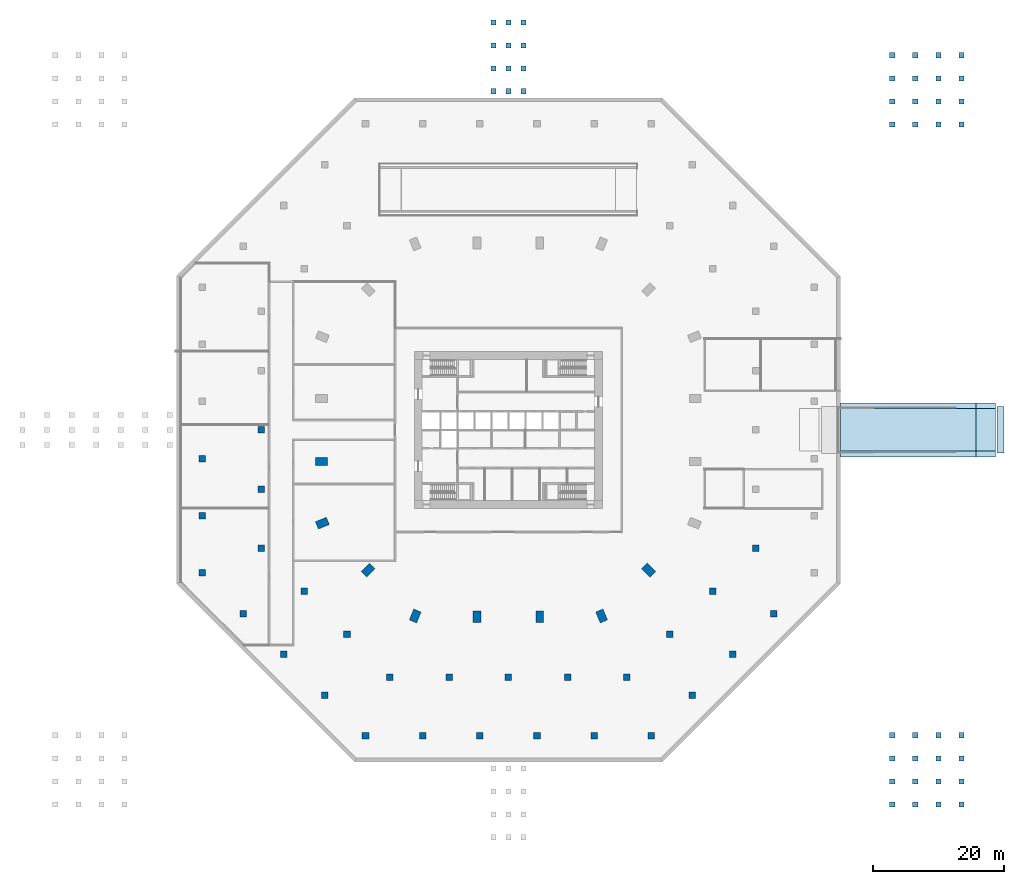
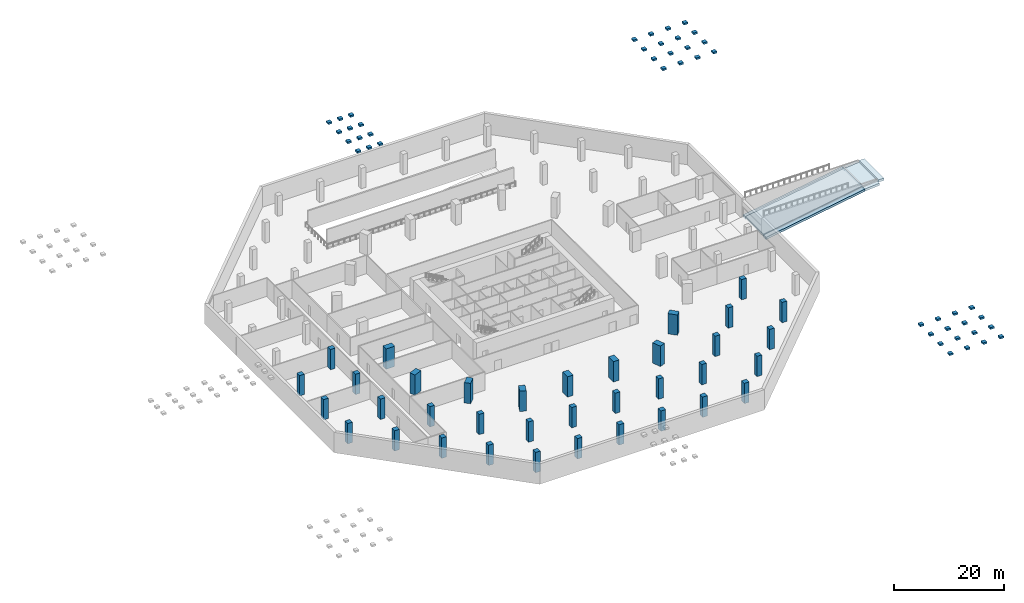
# One storey, part 2 of 11: 51 footings, 36 columns.
"""IFC4 building model written with IfcOpenShell, lengths in metres."""

from ifc_helpers import new_model, si_unit, direction, frame, origin, origin_2d, place, context, subcontext, project, spatial, polyline, rectangle, outline, extrude, material, layer, layer_set, material_profile, profile_set, type_object, element, save


model = new_model("IFC4")

# Units and contexts
model_context = context("Model", 3, precision=1e-05, world=origin(), true_north=direction((0.0, 1.0)))
body_context = subcontext(model_context, "Body", "Model", "MODEL_VIEW")
ifc_project = project(units=[si_unit("LENGTHUNIT", "METRE"), si_unit("AREAUNIT", "SQUARE_METRE"), si_unit("VOLUMEUNIT", "CUBIC_METRE"), si_unit("PLANEANGLEUNIT", "RADIAN"), si_unit("MASSUNIT", "GRAM", prefix="KILO")], contexts=[model_context])

# Site, building, storey
site_placement = place(None, origin())
site = spatial("IfcSite", under=ifc_project, at=site_placement, CompositionType="ELEMENT")
building_placement = place(site_placement, origin())
building = spatial("IfcBuilding", under=site, at=building_placement, Name="Msitu Wima Residences", CompositionType="ELEMENT")
storey_placement = place(building_placement, frame((0.0, 0.0, -4.5)))
storey = spatial("IfcBuildingStorey", under=building, at=storey_placement, Name="B1", CompositionType="ELEMENT", Elevation=-4.5)

# Footings
ifc_material_1 = material(Name="Concrete C40/50", Category="concrete")
ifc_layer_1 = layer(ifc_material_1, 0.5)
ifc_layer_set_1 = layer_set([ifc_layer_1], Name="Concrete C40/50")
footing_type_1 = type_object("IfcFootingType", Name="Driveway sill footing SF2", PredefinedType="STRIP_FOOTING", material=ifc_layer_set_1)
footing_1_placement = place(storey_placement, frame((0.0, 0.0, 3.85009765625)))
element("IfcFooting", 1, at=footing_1_placement, inside=storey, type_object=footing_type_1, Name="Driveway apron sill footing", PredefinedType="STRIP_FOOTING", context=body_context, shape_type="SweptSolid", body=[
    extrude(outline(polyline([(74.699951171875, -3.550048828125), (75.800048828125, -3.550048828125), (75.800048828125, 3.550048828125), (74.699951171875, 3.550048828125), (74.699951171875, -3.550048828125)])), origin(), (0.0, 0.0, 1.0), 0.5),
])
ifc_layer_2 = layer(ifc_material_1, 0.39990234375)
ifc_layer_set_2 = layer_set([ifc_layer_2], Name="Concrete C40/50")
footing_type_2 = type_object("IfcFootingType", Name="Paving pad footing PP1", PredefinedType="PAD_FOOTING", material=ifc_layer_set_2)
footing_2_placement = place(storey_placement, frame((0.0, 0.0, 3.949951171875)))
element("IfcFooting", 2, at=footing_2_placement, inside=storey, type_object=footing_type_2, Name="Paving pad footing N", PredefinedType="PAD_FOOTING", context=body_context, shape_type="SweptSolid", body=[
    extrude(outline(polyline([(-1.89990234375, 51.39990234375), (-1.89990234375, 52.199951171875), (-2.699951171875, 52.199951171875), (-2.699951171875, 51.39990234375), (-1.89990234375, 51.39990234375)])), origin(), (0.0, 0.0, 1.0), 0.400146484375),
])
footing_3_placement = place(storey_placement, frame((0.0, 0.0, 3.949951171875)))
element("IfcFooting", 3, at=footing_3_placement, inside=storey, type_object=footing_type_2, Name="Paving pad footing N", PredefinedType="PAD_FOOTING", context=body_context, shape_type="SweptSolid", body=[
    extrude(outline(polyline([(0.39990234375, 51.39990234375), (0.39990234375, 52.199951171875), (-0.39990234375, 52.199951171875), (-0.39990234375, 51.39990234375), (0.39990234375, 51.39990234375)])), origin(), (0.0, 0.0, 1.0), 0.400146484375),
])
footing_4_placement = place(storey_placement, frame((0.0, 0.0, 3.949951171875)))
element("IfcFooting", 4, at=footing_4_placement, inside=storey, type_object=footing_type_2, Name="Paving pad footing N", PredefinedType="PAD_FOOTING", context=body_context, shape_type="SweptSolid", body=[
    extrude(outline(polyline([(2.699951171875, 51.39990234375), (2.699951171875, 52.199951171875), (1.89990234375, 52.199951171875), (1.89990234375, 51.39990234375), (2.699951171875, 51.39990234375)])), origin(), (0.0, 0.0, 1.0), 0.400146484375),
])
footing_5_placement = place(storey_placement, frame((0.0, 0.0, 3.949951171875)))
element("IfcFooting", 5, at=footing_5_placement, inside=storey, type_object=footing_type_2, Name="Paving pad footing N", PredefinedType="PAD_FOOTING", context=body_context, shape_type="SweptSolid", body=[
    extrude(outline(polyline([(-1.89990234375, 54.89990234375), (-1.89990234375, 55.699951171875), (-2.699951171875, 55.699951171875), (-2.699951171875, 54.89990234375), (-1.89990234375, 54.89990234375)])), origin(), (0.0, 0.0, 1.0), 0.400146484375),
])
footing_6_placement = place(storey_placement, frame((0.0, 0.0, 3.949951171875)))
element("IfcFooting", 6, at=footing_6_placement, inside=storey, type_object=footing_type_2, Name="Paving pad footing N", PredefinedType="PAD_FOOTING", context=body_context, shape_type="SweptSolid", body=[
    extrude(outline(polyline([(0.39990234375, 54.89990234375), (0.39990234375, 55.699951171875), (-0.39990234375, 55.699951171875), (-0.39990234375, 54.89990234375), (0.39990234375, 54.89990234375)])), origin(), (0.0, 0.0, 1.0), 0.400146484375),
])
footing_7_placement = place(storey_placement, frame((0.0, 0.0, 3.949951171875)))
element("IfcFooting", 7, at=footing_7_placement, inside=storey, type_object=footing_type_2, Name="Paving pad footing N", PredefinedType="PAD_FOOTING", context=body_context, shape_type="SweptSolid", body=[
    extrude(outline(polyline([(2.699951171875, 54.89990234375), (2.699951171875, 55.699951171875), (1.89990234375, 55.699951171875), (1.89990234375, 54.89990234375), (2.699951171875, 54.89990234375)])), origin(), (0.0, 0.0, 1.0), 0.400146484375),
])
footing_8_placement = place(storey_placement, frame((0.0, 0.0, 3.949951171875)))
element("IfcFooting", 8, at=footing_8_placement, inside=storey, type_object=footing_type_2, Name="Paving pad footing N", PredefinedType="PAD_FOOTING", context=body_context, shape_type="SweptSolid", body=[
    extrude(outline(polyline([(-1.89990234375, 58.39990234375), (-1.89990234375, 59.199951171875), (-2.699951171875, 59.199951171875), (-2.699951171875, 58.39990234375), (-1.89990234375, 58.39990234375)])), origin(), (0.0, 0.0, 1.0), 0.400146484375),
])
footing_9_placement = place(storey_placement, frame((0.0, 0.0, 3.949951171875)))
element("IfcFooting", 9, at=footing_9_placement, inside=storey, type_object=footing_type_2, Name="Paving pad footing N", PredefinedType="PAD_FOOTING", context=body_context, shape_type="SweptSolid", body=[
    extrude(outline(polyline([(0.39990234375, 58.39990234375), (0.39990234375, 59.199951171875), (-0.39990234375, 59.199951171875), (-0.39990234375, 58.39990234375), (0.39990234375, 58.39990234375)])), origin(), (0.0, 0.0, 1.0), 0.400146484375),
])
footing_10_placement = place(storey_placement, frame((0.0, 0.0, 3.949951171875)))
element("IfcFooting", 10, at=footing_10_placement, inside=storey, type_object=footing_type_2, Name="Paving pad footing N", PredefinedType="PAD_FOOTING", context=body_context, shape_type="SweptSolid", body=[
    extrude(outline(polyline([(2.699951171875, 58.39990234375), (2.699951171875, 59.199951171875), (1.89990234375, 59.199951171875), (1.89990234375, 58.39990234375), (2.699951171875, 58.39990234375)])), origin(), (0.0, 0.0, 1.0), 0.400146484375),
])
footing_11_placement = place(storey_placement, frame((0.0, 0.0, 3.949951171875)))
element("IfcFooting", 11, at=footing_11_placement, inside=storey, type_object=footing_type_2, Name="Paving pad footing N", PredefinedType="PAD_FOOTING", context=body_context, shape_type="SweptSolid", body=[
    extrude(outline(polyline([(-1.89990234375, 61.89990234375), (-1.89990234375, 62.699951171875), (-2.699951171875, 62.699951171875), (-2.699951171875, 61.89990234375), (-1.89990234375, 61.89990234375)])), origin(), (0.0, 0.0, 1.0), 0.400146484375),
])
footing_12_placement = place(storey_placement, frame((0.0, 0.0, 3.949951171875)))
element("IfcFooting", 12, at=footing_12_placement, inside=storey, type_object=footing_type_2, Name="Paving pad footing N", PredefinedType="PAD_FOOTING", context=body_context, shape_type="SweptSolid", body=[
    extrude(outline(polyline([(0.39990234375, 61.89990234375), (0.39990234375, 62.699951171875), (-0.39990234375, 62.699951171875), (-0.39990234375, 61.89990234375), (0.39990234375, 61.89990234375)])), origin(), (0.0, 0.0, 1.0), 0.400146484375),
])
footing_13_placement = place(storey_placement, frame((0.0, 0.0, 3.949951171875)))
element("IfcFooting", 13, at=footing_13_placement, inside=storey, type_object=footing_type_2, Name="Paving pad footing N", PredefinedType="PAD_FOOTING", context=body_context, shape_type="SweptSolid", body=[
    extrude(outline(polyline([(2.699951171875, 61.89990234375), (2.699951171875, 62.699951171875), (1.89990234375, 62.699951171875), (1.89990234375, 61.89990234375), (2.699951171875, 61.89990234375)])), origin(), (0.0, 0.0, 1.0), 0.400146484375),
])
footing_14_placement = place(storey_placement, frame((0.0, 0.0, 3.949951171875)))
element("IfcFooting", 14, at=footing_14_placement, inside=storey, type_object=footing_type_2, Name="Paving pad footing NE", PredefinedType="PAD_FOOTING", context=body_context, shape_type="SweptSolid", body=[
    extrude(outline(polyline([(59.10009765625, 46.300048828125), (59.10009765625, 47.10009765625), (58.300048828125, 47.10009765625), (58.300048828125, 46.300048828125), (59.10009765625, 46.300048828125)])), origin(), (0.0, 0.0, 1.0), 0.400146484375),
])
footing_15_placement = place(storey_placement, frame((0.0, 0.0, 3.949951171875)))
element("IfcFooting", 15, at=footing_15_placement, inside=storey, type_object=footing_type_2, Name="Paving pad footing NE", PredefinedType="PAD_FOOTING", context=body_context, shape_type="SweptSolid", body=[
    extrude(outline(polyline([(62.63330078125, 46.300048828125), (62.63330078125, 47.10009765625), (61.833251953125, 47.10009765625), (61.833251953125, 46.300048828125), (62.63330078125, 46.300048828125)])), origin(), (0.0, 0.0, 1.0), 0.400146484375),
])
footing_16_placement = place(storey_placement, frame((0.0, 0.0, 3.949951171875)))
element("IfcFooting", 16, at=footing_16_placement, inside=storey, type_object=footing_type_2, Name="Paving pad footing NE", PredefinedType="PAD_FOOTING", context=body_context, shape_type="SweptSolid", body=[
    extrude(outline(polyline([(66.166748046875, 46.300048828125), (66.166748046875, 47.10009765625), (65.36669921875, 47.10009765625), (65.36669921875, 46.300048828125), (66.166748046875, 46.300048828125)])), origin(), (0.0, 0.0, 1.0), 0.400146484375),
])
footing_17_placement = place(storey_placement, frame((0.0, 0.0, 3.949951171875)))
element("IfcFooting", 17, at=footing_17_placement, inside=storey, type_object=footing_type_2, Name="Paving pad footing NE", PredefinedType="PAD_FOOTING", context=body_context, shape_type="SweptSolid", body=[
    extrude(outline(polyline([(69.699951171875, 46.300048828125), (69.699951171875, 47.10009765625), (68.89990234375, 47.10009765625), (68.89990234375, 46.300048828125), (69.699951171875, 46.300048828125)])), origin(), (0.0, 0.0, 1.0), 0.400146484375),
])
footing_18_placement = place(storey_placement, frame((0.0, 0.0, 3.949951171875)))
element("IfcFooting", 18, at=footing_18_placement, inside=storey, type_object=footing_type_2, Name="Paving pad footing NE", PredefinedType="PAD_FOOTING", context=body_context, shape_type="SweptSolid", body=[
    extrude(outline(polyline([(59.10009765625, 49.833251953125), (59.10009765625, 50.63330078125), (58.300048828125, 50.63330078125), (58.300048828125, 49.833251953125), (59.10009765625, 49.833251953125)])), origin(), (0.0, 0.0, 1.0), 0.400146484375),
])
footing_19_placement = place(storey_placement, frame((0.0, 0.0, 3.949951171875)))
element("IfcFooting", 19, at=footing_19_placement, inside=storey, type_object=footing_type_2, Name="Paving pad footing NE", PredefinedType="PAD_FOOTING", context=body_context, shape_type="SweptSolid", body=[
    extrude(outline(polyline([(62.63330078125, 49.833251953125), (62.63330078125, 50.63330078125), (61.833251953125, 50.63330078125), (61.833251953125, 49.833251953125), (62.63330078125, 49.833251953125)])), origin(), (0.0, 0.0, 1.0), 0.400146484375),
])
footing_20_placement = place(storey_placement, frame((0.0, 0.0, 3.949951171875)))
element("IfcFooting", 20, at=footing_20_placement, inside=storey, type_object=footing_type_2, Name="Paving pad footing NE", PredefinedType="PAD_FOOTING", context=body_context, shape_type="SweptSolid", body=[
    extrude(outline(polyline([(66.166748046875, 49.833251953125), (66.166748046875, 50.63330078125), (65.36669921875, 50.63330078125), (65.36669921875, 49.833251953125), (66.166748046875, 49.833251953125)])), origin(), (0.0, 0.0, 1.0), 0.400146484375),
])
footing_21_placement = place(storey_placement, frame((0.0, 0.0, 3.949951171875)))
element("IfcFooting", 21, at=footing_21_placement, inside=storey, type_object=footing_type_2, Name="Paving pad footing NE", PredefinedType="PAD_FOOTING", context=body_context, shape_type="SweptSolid", body=[
    extrude(outline(polyline([(69.699951171875, 49.833251953125), (69.699951171875, 50.63330078125), (68.89990234375, 50.63330078125), (68.89990234375, 49.833251953125), (69.699951171875, 49.833251953125)])), origin(), (0.0, 0.0, 1.0), 0.400146484375),
])
footing_22_placement = place(storey_placement, frame((0.0, 0.0, 3.949951171875)))
element("IfcFooting", 22, at=footing_22_placement, inside=storey, type_object=footing_type_2, Name="Paving pad footing NE", PredefinedType="PAD_FOOTING", context=body_context, shape_type="SweptSolid", body=[
    extrude(outline(polyline([(59.10009765625, 53.36669921875), (59.10009765625, 54.166748046875), (58.300048828125, 54.166748046875), (58.300048828125, 53.36669921875), (59.10009765625, 53.36669921875)])), origin(), (0.0, 0.0, 1.0), 0.400146484375),
])
footing_23_placement = place(storey_placement, frame((0.0, 0.0, 3.949951171875)))
element("IfcFooting", 23, at=footing_23_placement, inside=storey, type_object=footing_type_2, Name="Paving pad footing NE", PredefinedType="PAD_FOOTING", context=body_context, shape_type="SweptSolid", body=[
    extrude(outline(polyline([(62.63330078125, 53.36669921875), (62.63330078125, 54.166748046875), (61.833251953125, 54.166748046875), (61.833251953125, 53.36669921875), (62.63330078125, 53.36669921875)])), origin(), (0.0, 0.0, 1.0), 0.400146484375),
])
footing_24_placement = place(storey_placement, frame((0.0, 0.0, 3.949951171875)))
element("IfcFooting", 24, at=footing_24_placement, inside=storey, type_object=footing_type_2, Name="Paving pad footing NE", PredefinedType="PAD_FOOTING", context=body_context, shape_type="SweptSolid", body=[
    extrude(outline(polyline([(66.166748046875, 53.36669921875), (66.166748046875, 54.166748046875), (65.36669921875, 54.166748046875), (65.36669921875, 53.36669921875), (66.166748046875, 53.36669921875)])), origin(), (0.0, 0.0, 1.0), 0.400146484375),
])
footing_25_placement = place(storey_placement, frame((0.0, 0.0, 3.949951171875)))
element("IfcFooting", 25, at=footing_25_placement, inside=storey, type_object=footing_type_2, Name="Paving pad footing NE", PredefinedType="PAD_FOOTING", context=body_context, shape_type="SweptSolid", body=[
    extrude(outline(polyline([(69.699951171875, 53.36669921875), (69.699951171875, 54.166748046875), (68.89990234375, 54.166748046875), (68.89990234375, 53.36669921875), (69.699951171875, 53.36669921875)])), origin(), (0.0, 0.0, 1.0), 0.400146484375),
])
footing_26_placement = place(storey_placement, frame((0.0, 0.0, 3.949951171875)))
element("IfcFooting", 26, at=footing_26_placement, inside=storey, type_object=footing_type_2, Name="Paving pad footing NE", PredefinedType="PAD_FOOTING", context=body_context, shape_type="SweptSolid", body=[
    extrude(outline(polyline([(59.10009765625, 56.89990234375), (59.10009765625, 57.699951171875), (58.300048828125, 57.699951171875), (58.300048828125, 56.89990234375), (59.10009765625, 56.89990234375)])), origin(), (0.0, 0.0, 1.0), 0.400146484375),
])
footing_27_placement = place(storey_placement, frame((0.0, 0.0, 3.949951171875)))
element("IfcFooting", 27, at=footing_27_placement, inside=storey, type_object=footing_type_2, Name="Paving pad footing NE", PredefinedType="PAD_FOOTING", context=body_context, shape_type="SweptSolid", body=[
    extrude(outline(polyline([(62.63330078125, 56.89990234375), (62.63330078125, 57.699951171875), (61.833251953125, 57.699951171875), (61.833251953125, 56.89990234375), (62.63330078125, 56.89990234375)])), origin(), (0.0, 0.0, 1.0), 0.400146484375),
])
footing_28_placement = place(storey_placement, frame((0.0, 0.0, 3.949951171875)))
element("IfcFooting", 28, at=footing_28_placement, inside=storey, type_object=footing_type_2, Name="Paving pad footing NE", PredefinedType="PAD_FOOTING", context=body_context, shape_type="SweptSolid", body=[
    extrude(outline(polyline([(66.166748046875, 56.89990234375), (66.166748046875, 57.699951171875), (65.36669921875, 57.699951171875), (65.36669921875, 56.89990234375), (66.166748046875, 56.89990234375)])), origin(), (0.0, 0.0, 1.0), 0.400146484375),
])
footing_29_placement = place(storey_placement, frame((0.0, 0.0, 3.949951171875)))
element("IfcFooting", 29, at=footing_29_placement, inside=storey, type_object=footing_type_2, Name="Paving pad footing NE", PredefinedType="PAD_FOOTING", context=body_context, shape_type="SweptSolid", body=[
    extrude(outline(polyline([(69.699951171875, 56.89990234375), (69.699951171875, 57.699951171875), (68.89990234375, 57.699951171875), (68.89990234375, 56.89990234375), (69.699951171875, 56.89990234375)])), origin(), (0.0, 0.0, 1.0), 0.400146484375),
])
footing_30_placement = place(storey_placement, frame((0.0, 0.0, 3.949951171875)))
element("IfcFooting", 30, at=footing_30_placement, inside=storey, type_object=footing_type_2, Name="Paving pad footing SE", PredefinedType="PAD_FOOTING", context=body_context, shape_type="SweptSolid", body=[
    extrude(outline(polyline([(59.10009765625, -57.699951171875), (59.10009765625, -56.89990234375), (58.300048828125, -56.89990234375), (58.300048828125, -57.699951171875), (59.10009765625, -57.699951171875)])), origin(), (0.0, 0.0, 1.0), 0.400146484375),
])
footing_31_placement = place(storey_placement, frame((0.0, 0.0, 3.949951171875)))
element("IfcFooting", 31, at=footing_31_placement, inside=storey, type_object=footing_type_2, Name="Paving pad footing SE", PredefinedType="PAD_FOOTING", context=body_context, shape_type="SweptSolid", body=[
    extrude(outline(polyline([(62.63330078125, -57.699951171875), (62.63330078125, -56.89990234375), (61.833251953125, -56.89990234375), (61.833251953125, -57.699951171875), (62.63330078125, -57.699951171875)])), origin(), (0.0, 0.0, 1.0), 0.400146484375),
])
footing_32_placement = place(storey_placement, frame((0.0, 0.0, 3.949951171875)))
element("IfcFooting", 32, at=footing_32_placement, inside=storey, type_object=footing_type_2, Name="Paving pad footing SE", PredefinedType="PAD_FOOTING", context=body_context, shape_type="SweptSolid", body=[
    extrude(outline(polyline([(66.166748046875, -57.699951171875), (66.166748046875, -56.89990234375), (65.36669921875, -56.89990234375), (65.36669921875, -57.699951171875), (66.166748046875, -57.699951171875)])), origin(), (0.0, 0.0, 1.0), 0.400146484375),
])
footing_33_placement = place(storey_placement, frame((0.0, 0.0, 3.949951171875)))
element("IfcFooting", 33, at=footing_33_placement, inside=storey, type_object=footing_type_2, Name="Paving pad footing SE", PredefinedType="PAD_FOOTING", context=body_context, shape_type="SweptSolid", body=[
    extrude(outline(polyline([(69.699951171875, -57.699951171875), (69.699951171875, -56.89990234375), (68.89990234375, -56.89990234375), (68.89990234375, -57.699951171875), (69.699951171875, -57.699951171875)])), origin(), (0.0, 0.0, 1.0), 0.400146484375),
])
footing_34_placement = place(storey_placement, frame((0.0, 0.0, 3.949951171875)))
element("IfcFooting", 34, at=footing_34_placement, inside=storey, type_object=footing_type_2, Name="Paving pad footing SE", PredefinedType="PAD_FOOTING", context=body_context, shape_type="SweptSolid", body=[
    extrude(outline(polyline([(59.10009765625, -54.166748046875), (59.10009765625, -53.36669921875), (58.300048828125, -53.36669921875), (58.300048828125, -54.166748046875), (59.10009765625, -54.166748046875)])), origin(), (0.0, 0.0, 1.0), 0.400146484375),
])
footing_35_placement = place(storey_placement, frame((0.0, 0.0, 3.949951171875)))
element("IfcFooting", 35, at=footing_35_placement, inside=storey, type_object=footing_type_2, Name="Paving pad footing SE", PredefinedType="PAD_FOOTING", context=body_context, shape_type="SweptSolid", body=[
    extrude(outline(polyline([(62.63330078125, -54.166748046875), (62.63330078125, -53.36669921875), (61.833251953125, -53.36669921875), (61.833251953125, -54.166748046875), (62.63330078125, -54.166748046875)])), origin(), (0.0, 0.0, 1.0), 0.400146484375),
])
footing_36_placement = place(storey_placement, frame((0.0, 0.0, 3.949951171875)))
element("IfcFooting", 36, at=footing_36_placement, inside=storey, type_object=footing_type_2, Name="Paving pad footing SE", PredefinedType="PAD_FOOTING", context=body_context, shape_type="SweptSolid", body=[
    extrude(outline(polyline([(66.166748046875, -54.166748046875), (66.166748046875, -53.36669921875), (65.36669921875, -53.36669921875), (65.36669921875, -54.166748046875), (66.166748046875, -54.166748046875)])), origin(), (0.0, 0.0, 1.0), 0.400146484375),
])
footing_37_placement = place(storey_placement, frame((0.0, 0.0, 3.949951171875)))
element("IfcFooting", 37, at=footing_37_placement, inside=storey, type_object=footing_type_2, Name="Paving pad footing SE", PredefinedType="PAD_FOOTING", context=body_context, shape_type="SweptSolid", body=[
    extrude(outline(polyline([(69.699951171875, -54.166748046875), (69.699951171875, -53.36669921875), (68.89990234375, -53.36669921875), (68.89990234375, -54.166748046875), (69.699951171875, -54.166748046875)])), origin(), (0.0, 0.0, 1.0), 0.400146484375),
])
footing_38_placement = place(storey_placement, frame((0.0, 0.0, 3.949951171875)))
element("IfcFooting", 38, at=footing_38_placement, inside=storey, type_object=footing_type_2, Name="Paving pad footing SE", PredefinedType="PAD_FOOTING", context=body_context, shape_type="SweptSolid", body=[
    extrude(outline(polyline([(59.10009765625, -50.63330078125), (59.10009765625, -49.833251953125), (58.300048828125, -49.833251953125), (58.300048828125, -50.63330078125), (59.10009765625, -50.63330078125)])), origin(), (0.0, 0.0, 1.0), 0.400146484375),
])
footing_39_placement = place(storey_placement, frame((0.0, 0.0, 3.949951171875)))
element("IfcFooting", 39, at=footing_39_placement, inside=storey, type_object=footing_type_2, Name="Paving pad footing SE", PredefinedType="PAD_FOOTING", context=body_context, shape_type="SweptSolid", body=[
    extrude(outline(polyline([(62.63330078125, -50.63330078125), (62.63330078125, -49.833251953125), (61.833251953125, -49.833251953125), (61.833251953125, -50.63330078125), (62.63330078125, -50.63330078125)])), origin(), (0.0, 0.0, 1.0), 0.400146484375),
])
footing_40_placement = place(storey_placement, frame((0.0, 0.0, 3.949951171875)))
element("IfcFooting", 40, at=footing_40_placement, inside=storey, type_object=footing_type_2, Name="Paving pad footing SE", PredefinedType="PAD_FOOTING", context=body_context, shape_type="SweptSolid", body=[
    extrude(outline(polyline([(66.166748046875, -50.63330078125), (66.166748046875, -49.833251953125), (65.36669921875, -49.833251953125), (65.36669921875, -50.63330078125), (66.166748046875, -50.63330078125)])), origin(), (0.0, 0.0, 1.0), 0.400146484375),
])
footing_41_placement = place(storey_placement, frame((0.0, 0.0, 3.949951171875)))
element("IfcFooting", 41, at=footing_41_placement, inside=storey, type_object=footing_type_2, Name="Paving pad footing SE", PredefinedType="PAD_FOOTING", context=body_context, shape_type="SweptSolid", body=[
    extrude(outline(polyline([(69.699951171875, -50.63330078125), (69.699951171875, -49.833251953125), (68.89990234375, -49.833251953125), (68.89990234375, -50.63330078125), (69.699951171875, -50.63330078125)])), origin(), (0.0, 0.0, 1.0), 0.400146484375),
])
footing_42_placement = place(storey_placement, frame((0.0, 0.0, 3.949951171875)))
element("IfcFooting", 42, at=footing_42_placement, inside=storey, type_object=footing_type_2, Name="Paving pad footing SE", PredefinedType="PAD_FOOTING", context=body_context, shape_type="SweptSolid", body=[
    extrude(outline(polyline([(59.10009765625, -47.10009765625), (59.10009765625, -46.300048828125), (58.300048828125, -46.300048828125), (58.300048828125, -47.10009765625), (59.10009765625, -47.10009765625)])), origin(), (0.0, 0.0, 1.0), 0.400146484375),
])
footing_43_placement = place(storey_placement, frame((0.0, 0.0, 3.949951171875)))
element("IfcFooting", 43, at=footing_43_placement, inside=storey, type_object=footing_type_2, Name="Paving pad footing SE", PredefinedType="PAD_FOOTING", context=body_context, shape_type="SweptSolid", body=[
    extrude(outline(polyline([(62.63330078125, -47.10009765625), (62.63330078125, -46.300048828125), (61.833251953125, -46.300048828125), (61.833251953125, -47.10009765625), (62.63330078125, -47.10009765625)])), origin(), (0.0, 0.0, 1.0), 0.400146484375),
])
footing_44_placement = place(storey_placement, frame((0.0, 0.0, 3.949951171875)))
element("IfcFooting", 44, at=footing_44_placement, inside=storey, type_object=footing_type_2, Name="Paving pad footing SE", PredefinedType="PAD_FOOTING", context=body_context, shape_type="SweptSolid", body=[
    extrude(outline(polyline([(66.166748046875, -47.10009765625), (66.166748046875, -46.300048828125), (65.36669921875, -46.300048828125), (65.36669921875, -47.10009765625), (66.166748046875, -47.10009765625)])), origin(), (0.0, 0.0, 1.0), 0.400146484375),
])
footing_45_placement = place(storey_placement, frame((0.0, 0.0, 3.949951171875)))
element("IfcFooting", 45, at=footing_45_placement, inside=storey, type_object=footing_type_2, Name="Paving pad footing SE", PredefinedType="PAD_FOOTING", context=body_context, shape_type="SweptSolid", body=[
    extrude(outline(polyline([(69.699951171875, -47.10009765625), (69.699951171875, -46.300048828125), (68.89990234375, -46.300048828125), (68.89990234375, -47.10009765625), (69.699951171875, -47.10009765625)])), origin(), (0.0, 0.0, 1.0), 0.400146484375),
])
ifc_layer_3 = layer(ifc_material_1, 6.5)
ifc_layer_set_3 = layer_set([ifc_layer_3], Name="Concrete C40/50")
footing_type_3 = type_object("IfcFootingType", Name="Ramp ground bed RG450", PredefinedType="STRIP_FOOTING", material=ifc_layer_set_3)
footing_46_placement = place(storey_placement, frame((50.800048828125, 0.0, 0.050048828125), z_axis=(0.0, 0.0, 1.0), x_axis=(1.0, 0.0, 0.0)))
element("IfcFooting", 46, at=footing_46_placement, inside=storey, type_object=footing_type_3, Name="Entry ramp ground bed", PredefinedType="STRIP_FOOTING", context=body_context, shape_type="SweptSolid", body=[
    extrude(outline(polyline([(0.0, 0.0), (20.699951171875, 3.449951171875), (20.699951171875, 3.89990234375), (0.0, 0.449951171875), (0.0, 0.0)])), frame((0.0, 3.25, 0.0), z_axis=(0.0, -1.0, 0.0), x_axis=(1.0, 0.0, 0.0)), (0.0, 0.0, 1.0), 6.5),
])
footing_47_placement = place(storey_placement, frame((71.5, 0.0, 3.5), z_axis=(0.0, 0.0, 1.0), x_axis=(1.0, 0.0, 0.0)))
element("IfcFooting", 47, at=footing_47_placement, inside=storey, type_object=footing_type_3, Name="Entry ramp ground bed", PredefinedType="STRIP_FOOTING", context=body_context, shape_type="SweptSolid", body=[
    extrude(outline(polyline([(0.0, 0.0), (3.0, 0.25), (3.0, 0.699951171875), (0.0, 0.449951171875), (0.0, 0.0)])), frame((0.0, 3.25, 0.0), z_axis=(0.0, -1.0, 0.0), x_axis=(1.0, 0.0, 0.0)), (0.0, 0.0, 1.0), 6.5),
])
ifc_layer_4 = layer(ifc_material_1, 0.89990234375)
ifc_layer_set_4 = layer_set([ifc_layer_4], Name="Concrete C40/50")
footing_type_4 = type_object("IfcFootingType", Name="Ramp wall footing RF3", PredefinedType="STRIP_FOOTING", material=ifc_layer_set_4)
for number, where, z_axis, x_axis, name in (
    (48, (50.800048828125, -3.699951171875, -0.14990234375), (0.0, 0.0, 1.0), (1.0, 0.0, 0.0), "Entry ramp wall footing S"),
    (49, (50.800048828125, 3.699951171875, -0.14990234375), (0.0, 0.0, 1.0), (1.0, 0.0, 0.0), "Entry ramp wall footing N"),
):
    element("IfcFooting", number, at=place(storey_placement, frame(where, z_axis=z_axis, x_axis=x_axis)), inside=storey, type_object=footing_type_4, Name=name, PredefinedType="STRIP_FOOTING", context=body_context, shape_type="SweptSolid", body=[
        extrude(outline(polyline([(0.0, 0.0), (20.699951171875, 3.449951171875), (20.699951171875, 3.949951171875), (0.0, 0.5), (0.0, 0.0)])), frame((0.0, 0.449951171875, 0.0), z_axis=(0.0, -1.0, 0.0), x_axis=(1.0, 0.0, 0.0)), (0.0, 0.0, 1.0), 0.89990234375),
    ])
for number, where, z_axis, x_axis, name in (
    (50, (71.5, -3.699951171875, 3.300048828125), (0.0, 0.0, 1.0), (1.0, 0.0, 0.0), "Entry ramp wall footing S"),
    (51, (71.5, 3.699951171875, 3.300048828125), (0.0, 0.0, 1.0), (1.0, 0.0, 0.0), "Entry ramp wall footing N"),
):
    element("IfcFooting", number, at=place(storey_placement, frame(where, z_axis=z_axis, x_axis=x_axis)), inside=storey, type_object=footing_type_4, Name=name, PredefinedType="STRIP_FOOTING", context=body_context, shape_type="SweptSolid", body=[
        extrude(outline(polyline([(0.0, 0.0), (3.0, 0.25), (3.0, 0.75), (0.0, 0.5), (0.0, 0.0)])), frame((0.0, 0.449951171875, 0.0), z_axis=(0.0, -1.0, 0.0), x_axis=(1.0, 0.0, 0.0)), (0.0, 0.0, 1.0), 0.89990234375),
    ])

# Columns
ifc_material_2 = material(Name="Concrete C60/75", Category="concrete")
ifc_material_profile_1 = material_profile(ifc_material_2, rectangle(XDim=1.0, YDim=1.0, at=origin_2d()), Name="RC 1000x1000")
ifc_profile_set_1 = profile_set([ifc_material_profile_1], Name="Concrete C60/75")
column_type_1 = type_object("IfcColumnType", Name="Base column CB10 1000x1000", PredefinedType="COLUMN", material=ifc_profile_set_1)
for number, where, z_axis, x_axis, name in (
    (52, (-21.85595703125, -46.800048828125, 0.0), (0.0, 0.0, 1.0), (1.0, 0.0, 0.0), "Column -21.9/-46.8 B1"),
    (53, (-13.113525390625, -46.800048828125, 0.0), (0.0, 0.0, 1.0), (1.0, 0.0, 0.0), "Column -13.1/-46.8 B1"),
    (54, (-4.37109375, -46.800048828125, 0.0), (0.0, 0.0, 1.0), (1.0, 0.0, 0.0), "Column -4.4/-46.8 B1"),
    (55, (4.37109375, -46.800048828125, 0.0), (0.0, 0.0, 1.0), (1.0, 0.0, 0.0), "Column +4.4/-46.8 B1"),
    (56, (13.113525390625, -46.800048828125, 0.0), (0.0, 0.0, 1.0), (1.0, 0.0, 0.0), "Column +13.1/-46.8 B1"),
    (57, (21.85595703125, -46.800048828125, 0.0), (0.0, 0.0, 1.0), (1.0, 0.0, 0.0), "Column +21.9/-46.8 B1"),
    (58, (-28.091796875, -40.56396484375, 0.0), (0.0, 0.0, 1.0), (1.0, 0.0, 0.0), "Column -28.1/-40.6 B1"),
    (59, (28.091796875, -40.56396484375, 0.0), (0.0, 0.0, 1.0), (1.0, 0.0, 0.0), "Column +28.1/-40.6 B1"),
    (60, (-18.1279296875, -37.800048828125, 0.0), (0.0, 0.0, 1.0), (1.0, 0.0, 0.0), "Column -18.1/-37.8 B1"),
    (61, (-9.06396484375, -37.800048828125, 0.0), (0.0, 0.0, 1.0), (1.0, 0.0, 0.0), "Column -9.1/-37.8 B1"),
    (62, (0.0, -37.800048828125, 0.0), (0.0, 0.0, 1.0), (1.0, 0.0, 0.0), "Column 12/-37.8 B1"),
    (63, (9.06396484375, -37.800048828125, 0.0), (0.0, 0.0, 1.0), (1.0, 0.0, 0.0), "Column +9.1/-37.8 B1"),
    (64, (18.1279296875, -37.800048828125, 0.0), (0.0, 0.0, 1.0), (1.0, 0.0, 0.0), "Column +18.1/-37.8 B1"),
    (65, (-34.327880859375, -34.327880859375, 0.0), (0.0, 0.0, 1.0), (1.0, 0.0, 0.0), "Column -34.3/-34.3 B1"),
    (66, (34.327880859375, -34.327880859375, 0.0), (0.0, 0.0, 1.0), (1.0, 0.0, 0.0), "Column +34.3/-34.3 B1"),
    (67, (-24.685302734375, -31.24267578125, 0.0), (0.0, 0.0, 1.0), (1.0, 0.0, 0.0), "Column -24.7/-31.2 B1"),
    (68, (24.685302734375, -31.24267578125, 0.0), (0.0, 0.0, 1.0), (1.0, 0.0, 0.0), "Column +24.7/-31.2 B1"),
    (69, (-40.56396484375, -28.091796875, 0.0), (0.0, 0.0, 1.0), (1.0, 0.0, 0.0), "Column -40.6/-28.1 B1"),
    (70, (40.56396484375, -28.091796875, 0.0), (0.0, 0.0, 1.0), (1.0, 0.0, 0.0), "Column +40.6/-28.1 B1"),
    (71, (-31.24267578125, -24.685302734375, 0.0), (0.0, 0.0, 1.0), (1.0, 0.0, 0.0), "Column -31.2/-24.7 B1"),
    (72, (31.24267578125, -24.685302734375, 0.0), (0.0, 0.0, 1.0), (1.0, 0.0, 0.0), "Column +31.2/-24.7 B1"),
    (73, (-46.800048828125, -21.85595703125, 0.0), (0.0, 0.0, 1.0), (1.0, 0.0, 0.0), "Column -46.8/-21.9 B1"),
    (74, (-37.800048828125, -18.1279296875, 0.0), (0.0, 0.0, 1.0), (1.0, 0.0, 0.0), "Column -37.8/-18.1 B1"),
    (75, (37.800048828125, -18.1279296875, 0.0), (0.0, 0.0, 1.0), (1.0, 0.0, 0.0), "Column +37.8/-18.1 B1"),
    (76, (-46.800048828125, -13.113525390625, 0.0), (0.0, 0.0, 1.0), (1.0, 0.0, 0.0), "Column -46.8/-13.1 B1"),
    (77, (-37.800048828125, -9.06396484375, 0.0), (0.0, 0.0, 1.0), (1.0, 0.0, 0.0), "Column -37.8/-9.1 B1"),
    (78, (-46.800048828125, -4.37109375, 0.0), (0.0, 0.0, 1.0), (1.0, 0.0, 0.0), "Column -46.8/-4.4 B1"),
    (79, (-37.800048828125, 0.0, 0.0), (0.0, 0.0, 1.0), (1.0, 0.0, 0.0), "Column -37.8/M B1"),
):
    element("IfcColumn", number, at=place(storey_placement, frame(where, z_axis=z_axis, x_axis=x_axis)), inside=storey, type_object=column_type_1, Name=name, PredefinedType="COLUMN", context=body_context, shape_type="SweptSolid", body=[
        extrude(rectangle(XDim=1.0, YDim=1.0, at=origin_2d()), origin(), (0.0, 0.0, 1.0), 4.5),
    ])
ifc_material_3 = material(Name="Concrete C70/85", Category="concrete")
ifc_material_profile_2 = material_profile(ifc_material_3, rectangle(XDim=1.199951171875, YDim=1.800048828125, at=origin_2d()), Name="RC 1200x1800")
ifc_profile_set_2 = profile_set([ifc_material_profile_2], Name="Concrete C70/85")
column_type_2 = type_object("IfcColumnType", Name="Base column CB18 1200x1800", PredefinedType="COLUMN", material=ifc_profile_set_2)
for number, where, z_axis, x_axis, name in (
    (80, (-4.800048828125, -28.574951171875, 0.0), (0.0, 0.0, 1.0), (1.0, 0.0, 0.0), "Column 11/-28.6 B1"),
    (81, (4.800048828125, -28.574951171875, 0.0), (0.0, 0.0, 1.0), (1.0, 0.0, 0.0), "Column 13/-28.6 B1"),
    (82, (-14.2568359375, -28.4541015625, 0.0), (0.0, 0.0, 1.0), (0.923879505795, -0.382683496864, 0.0), "Column -14.3/-28.5 B1"),
    (83, (14.2568359375, -28.4541015625, 0.0), (0.0, 0.0, 1.0), (0.923879505795, 0.382683496864, 0.0), "Column +14.3/-28.5 B1"),
    (84, (-21.44091796875, -21.44091796875, 0.0), (0.0, 0.0, 1.0), (0.707106781187, -0.707106781187, 0.0), "Column -21.4/-21.4 B1"),
    (85, (21.44091796875, -21.44091796875, 0.0), (0.0, 0.0, 1.0), (0.707106781187, 0.707106781187, 0.0), "Column +21.4/-21.4 B1"),
    (86, (-28.4541015625, -14.2568359375, 0.0), (0.0, 0.0, 1.0), (0.382683496864, -0.923879505795, 0.0), "Column -28.5/-14.3 B1"),
    (87, (-28.574951171875, -4.800048828125, 0.0), (0.0, 0.0, 1.0), (0.0, -1.0, 0.0), "Column -28.6/L B1"),
):
    element("IfcColumn", number, at=place(storey_placement, frame(where, z_axis=z_axis, x_axis=x_axis)), inside=storey, type_object=column_type_2, Name=name, PredefinedType="COLUMN", context=body_context, shape_type="SweptSolid", body=[
        extrude(rectangle(XDim=1.199951171875, YDim=1.800048828125, at=origin_2d()), origin(), (0.0, 0.0, 1.0), 4.5),
    ])

save(model, "model.ifc")
